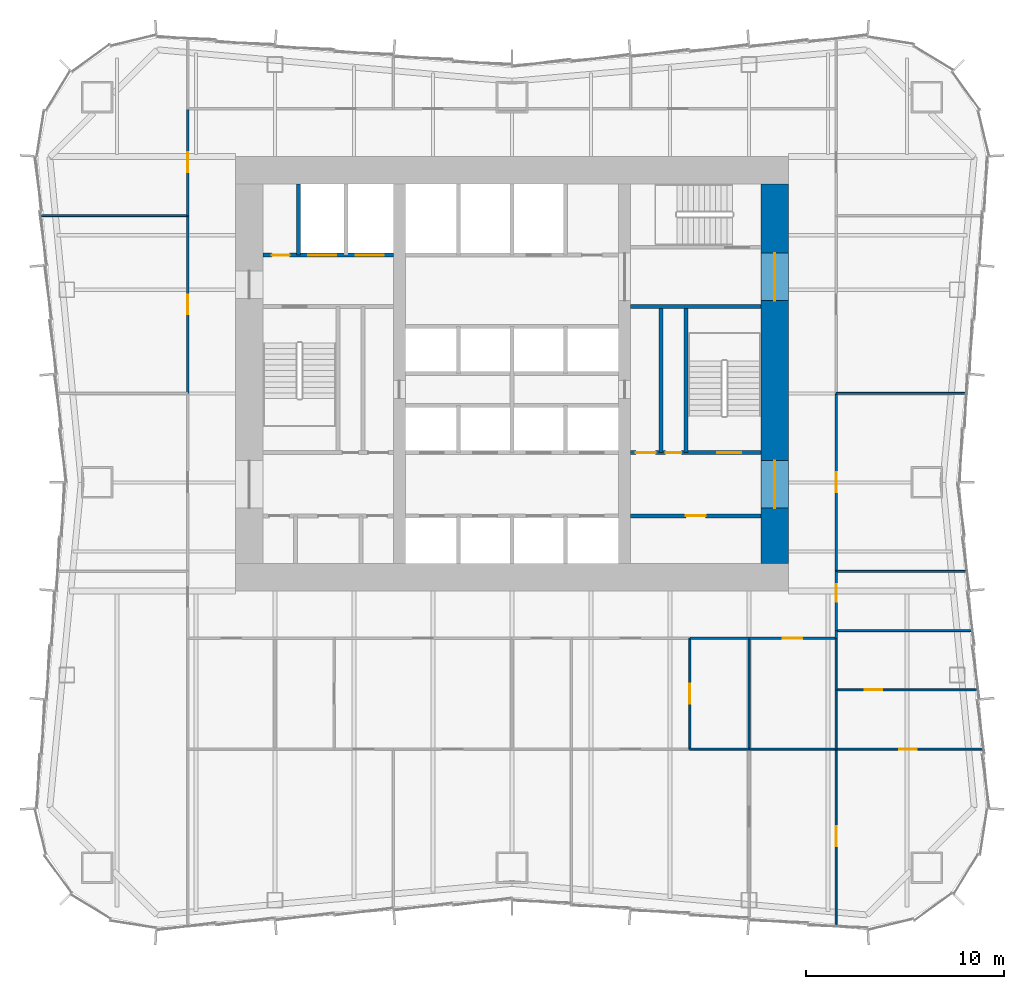
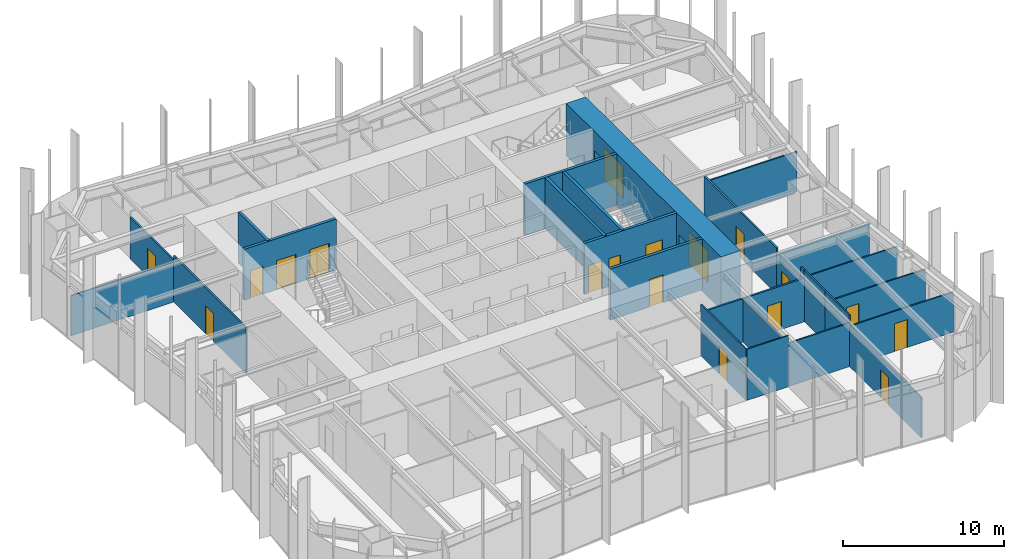
# One storey, part 11 of 13: 28 walls, 18 doors, 18 openings.
"""IFC4 building model written with IfcOpenShell, lengths in metres."""

import ifcopenshell
import ifcopenshell.guid

model = None  # the IFC model being written
_history = None  # IfcOwnerHistory: only IFC2X3 demands one
_inside = {}  # id of a spatial element -> (the spatial element, [elements in it])
_under = {}  # id of a project, library or spatial element -> (it, [spatial elements below it])
_declared = {}  # id of a project -> (the project, [libraries it declares])
_typed = {}  # id of a type object -> (the type object, [elements of that type])
_made_of = {}  # id of a material, layer set ... -> (it, [elements and type objects made of it])


def new_model(schema):
    """Start an empty IFC model of exactly this schema.

    Asked for "IFC4X3", IfcOpenShell would pick the latest addendum, in which some entities
    have other attributes; the version numbers below select the first issue.
    IFC2X3 requires an IfcOwnerHistory on every rooted entity: one is made here for all.
    """
    global model, _history
    if schema == "IFC4X3":
        model = ifcopenshell.file(schema_version=(4, 3, 0, 0))
    else:
        model = ifcopenshell.file(schema=schema)
    _inside.clear()
    _under.clear()
    _declared.clear()
    _typed.clear()
    _made_of.clear()
    _history = None
    if model.schema == "IFC2X3":
        org = make("IfcOrganization", Name="unknown")
        user = make(
            "IfcPersonAndOrganization",
            ThePerson=make("IfcPerson", FamilyName="unknown"),
            TheOrganization=org,
        )
        app = make(
            "IfcApplication",
            ApplicationDeveloper=org,
            Version="unknown",
            ApplicationFullName="unknown",
            ApplicationIdentifier="unknown",
        )
        _history = make(
            "IfcOwnerHistory",
            OwningUser=user,
            OwningApplication=app,
            ChangeAction="ADDED",
            CreationDate=0,
        )
    return model


def make(cls, **values):
    """One entity of the class cls with the attributes given. An attribute that is None is left unset."""
    return model.create_entity(
        cls, **{name: value for name, value in values.items() if value is not None}
    )


def rooted(cls, **values):
    """An entity with a GlobalId (a new one), such as an element, a storey or a relation."""
    return make(cls, GlobalId=ifcopenshell.guid.new(), OwnerHistory=_history, **values)


def si_unit(unit_type, name, prefix=None):
    """IfcSIUnit, for example si_unit("LENGTHUNIT", "METRE", prefix="MILLI")."""
    return make("IfcSIUnit", UnitType=unit_type, Prefix=prefix, Name=name)


def assignment(units):
    """IfcUnitAssignment: the units of a project."""
    return None if units is None else make("IfcUnitAssignment", Units=units)


def point(xyz):
    """IfcCartesianPoint."""
    return None if xyz is None else make("IfcCartesianPoint", Coordinates=xyz)


def direction(xyz):
    """IfcDirection."""
    return None if xyz is None else make("IfcDirection", DirectionRatios=xyz)


def frame(location, z_axis=None, x_axis=None):
    """IfcAxis2Placement3D, a coordinate frame: its origin and axes. An axis left out is left unset."""
    return make(
        "IfcAxis2Placement3D",
        Location=point(location),
        Axis=direction(z_axis),
        RefDirection=direction(x_axis),
    )


def frame_2d(location, x_axis=None):
    """IfcAxis2Placement2D, a coordinate frame in the plane: its origin and x axis."""
    return make(
        "IfcAxis2Placement2D", Location=point(location), RefDirection=direction(x_axis)
    )


def origin():
    """The frame at (0, 0, 0) with its axes left unset."""
    return frame((0.0, 0.0, 0.0))


def place(relative_to, where):
    """IfcLocalPlacement: puts the frame where relative to a parent placement (None: the world)."""
    return make(
        "IfcLocalPlacement", PlacementRelTo=relative_to, RelativePlacement=where
    )


def context(
    kind, dimensions, precision=None, world=None, true_north=None, identifier=None
):
    """IfcGeometricRepresentationContext, for example the 3D "Model" context."""
    return make(
        "IfcGeometricRepresentationContext",
        ContextIdentifier=identifier,
        ContextType=kind,
        CoordinateSpaceDimension=dimensions,
        Precision=precision,
        WorldCoordinateSystem=world,
        TrueNorth=true_north,
    )


def subcontext(parent, identifier, kind, view, scale=None):
    """IfcGeometricRepresentationSubContext, for example "Body" below "Model"."""
    return make(
        "IfcGeometricRepresentationSubContext",
        ContextIdentifier=identifier,
        ContextType=kind,
        ParentContext=parent,
        TargetScale=scale,
        TargetView=view,
    )


def project(units=None, contexts=None):
    """IfcProject with its units and contexts."""
    return rooted(
        "IfcProject",
        Name="project",
        RepresentationContexts=contexts,
        UnitsInContext=assignment(units),
    )


def spatial(cls, under=None, at=None, **own):
    """A site, building, storey or space (cls), placed at a placement, below another one or the project."""
    s = rooted(cls, ObjectPlacement=at, **own)
    if under is not None:
        _under.setdefault(under.id(), (under, []))[1].append(s)
    return s


def profile(cls, at=None, kind="AREA", **sizes):
    """A parametric profile (cls). Its sizes go by their IFC names, for example OverallWidth=200.0."""
    return make(cls, ProfileType=kind, Position=at, **sizes)


def rectangle(**sizes):
    """IfcRectangleProfileDef."""
    return profile("IfcRectangleProfileDef", **sizes)


def extrude(swept, where, along, depth):
    """IfcExtrudedAreaSolid: the profile swept, set in the frame where, extruded along a direction by depth."""
    return make(
        "IfcExtrudedAreaSolid",
        SweptArea=swept,
        Position=where,
        ExtrudedDirection=direction(along),
        Depth=depth,
    )


def shape(context_of_items, identifier, shape_type, items):
    """IfcShapeRepresentation: the items that make up one representation, for example the "Body"."""
    return make(
        "IfcShapeRepresentation",
        ContextOfItems=context_of_items,
        RepresentationIdentifier=identifier,
        RepresentationType=shape_type,
        Items=items,
    )


def material(Name=None, Category=None):
    """IfcMaterial."""
    return make("IfcMaterial", Name=Name, Category=Category)


def layer(
    of_material, thickness, ventilated=None, Name=None, Category=None, Priority=None
):
    """IfcMaterialLayer: one layer of a wall or slab, of a material (None: an air gap)."""
    return make(
        "IfcMaterialLayer",
        Material=of_material,
        LayerThickness=thickness,
        IsVentilated=ventilated,
        Name=Name,
        Category=Category,
        Priority=Priority,
    )


def layer_set(layers, Name=None):
    """IfcMaterialLayerSet."""
    return make("IfcMaterialLayerSet", MaterialLayers=layers, LayerSetName=Name)


def made_of(thing, what):
    """Note that an element or type object is made of a material, layer set ...; save() writes the relation."""
    if what is not None:
        _made_of.setdefault(what.id(), (what, []))[1].append(thing)
    return thing


def type_object(cls, material=None, **own):
    """A type object (cls), such as IfcWallType, which elements share."""
    return made_of(rooted(cls, **own), material)


def element(
    cls,
    number,
    at=None,
    inside=None,
    cuts=None,
    type_object=None,
    material=None,
    context=None,
    identifier="Body",
    shape_type=None,
    held_by="IfcProductDefinitionShape",
    body=None,
    shapes=None,
    **own,
):
    """One element of the class cls, such as IfcWall. Its Tag is "e" and its number.

    at: its placement. inside: the storey or other place that contains it. cuts: it is an
    opening in that element (IfcRelVoidsElement). A single representation is given by context,
    identifier, shape_type and body (its items); several are given by shapes. held_by: the class
    of the entity that holds the representations. save() writes the other relations.
    """
    e = rooted(cls, Tag="e%d" % number, ObjectPlacement=at, **own)
    if body is not None:
        shapes = [shape(context, identifier, shape_type, body)]
    if shapes is not None:
        e.Representation = make(held_by, Representations=shapes)
    if inside is not None:
        _inside.setdefault(inside.id(), (inside, []))[1].append(e)
    if cuts is not None:
        rooted(
            "IfcRelVoidsElement", RelatingBuildingElement=cuts, RelatedOpeningElement=e
        )
    if type_object is not None:
        _typed.setdefault(type_object.id(), (type_object, []))[1].append(e)
    return made_of(e, material)


def fill(opening, filler):
    """IfcRelFillsElement: the door or window that sits in an opening."""
    return rooted(
        "IfcRelFillsElement",
        RelatingOpeningElement=opening,
        RelatedBuildingElement=filler,
    )


def aggregate(whole, parts):
    """IfcRelAggregates: a whole, such as a stair, and the parts it consists of."""
    return rooted("IfcRelAggregates", RelatingObject=whole, RelatedObjects=parts)


def save(model, path):
    """Write the relations noted so far, then the file.

    IfcRelAggregates (storeys below a building ...), IfcRelContainedInSpatialStructure (elements
    in a storey), IfcRelDefinesByType, IfcRelAssociatesMaterial and IfcRelDeclares: one each for
    every whole, place, type object, material and project.
    """
    for whole, parts in _under.values():
        aggregate(whole, parts)
    for where, things in _inside.values():
        rooted(
            "IfcRelContainedInSpatialStructure",
            RelatedElements=things,
            RelatingStructure=where,
        )
    for kind, things in _typed.values():
        rooted("IfcRelDefinesByType", RelatedObjects=things, RelatingType=kind)
    for what, things in _made_of.values():
        rooted("IfcRelAssociatesMaterial", RelatedObjects=things, RelatingMaterial=what)
    for by, libraries in _declared.values():
        rooted("IfcRelDeclares", RelatingContext=by, RelatedDefinitions=libraries)
    model.write(path)


model = new_model("IFC4")

# Units and contexts
model_context = context("Model", 3, precision=1e-05, world=origin(), true_north=direction((0.0, 1.0)))
body_context = subcontext(model_context, "Body", "Model", "MODEL_VIEW")
ifc_project = project(units=[si_unit("LENGTHUNIT", "METRE"), si_unit("AREAUNIT", "SQUARE_METRE"), si_unit("VOLUMEUNIT", "CUBIC_METRE"), si_unit("PLANEANGLEUNIT", "RADIAN"), si_unit("MASSUNIT", "GRAM", prefix="KILO")], contexts=[model_context])

# Site, building, storey
site_placement = place(None, origin())
site = spatial("IfcSite", under=ifc_project, at=site_placement, CompositionType="ELEMENT")
building_placement = place(site_placement, origin())
building = spatial("IfcBuilding", under=site, at=building_placement, Name="Verdant Reach Tower", CompositionType="ELEMENT")
storey_placement = place(building_placement, frame((0.0, 0.0, 50.0)))
storey = spatial("IfcBuildingStorey", under=building, at=storey_placement, Name="L11", CompositionType="ELEMENT", Elevation=50.0)

# Wall, opening, door
ifc_material_1 = material(Name="Gypsum board on steel studs", Category="steel")
ifc_layer_1 = layer(ifc_material_1, 0.199951171875)
ifc_layer_set_1 = layer_set([ifc_layer_1], Name="CO-WALL-ROOM")
wall_type_1 = type_object("IfcWallType", Name="CO-WALL-ROOM", PredefinedType="PARTITIONING", material=ifc_layer_set_1)
wall_1_placement = place(storey_placement, frame((6.0, 20.800048828125, 0.0), z_axis=(0.0, 0.0, 1.0), x_axis=(1.0, 0.0, 0.0)))
wall_1 = element("IfcWall", 1, at=wall_1_placement, inside=storey, type_object=wall_type_1, Name="Core partition, L11", PredefinedType="PARTITIONING", context=body_context, shape_type="SweptSolid", body=[
    extrude(rectangle(XDim=6.60009765625, YDim=0.199951171875, at=frame_2d((3.300048828125, 0.0))), origin(), (0.0, 0.0, 1.0), 3.8701171875),
])
opening_1_placement = place(wall_1_placement, frame((2.800048828125, 0.0, 0.0)))
opening_1 = element("IfcOpeningElement", 2, at=opening_1_placement, cuts=wall_1, Name="Opening CD", PredefinedType="OPENING", context=body_context, shape_type="SweptSolid", body=[
    extrude(rectangle(XDim=1.0, YDim=2.10009765625, at=frame_2d((0.5, 1.050048828125))), frame((0.0, 0.10986328125, 0.0), z_axis=(0.0, -1.0, 0.0), x_axis=(1.0, 0.0, 0.0)), (0.0, 0.0, 1.0), 0.219970703125),
])
ifc_material_2 = material(Name="Timber", Category="wood")
door_type_1 = type_object("IfcDoorType", Name="CO-DOOR-ROOM", OperationType="NOTDEFINED", PredefinedType="DOOR", material=ifc_material_2)
door_1_placement = place(opening_1_placement, origin())
door_1 = element("IfcDoor", 3, at=door_1_placement, inside=storey, type_object=door_type_1, Name="Core room door, L11", OperationType="SINGLE_SWING_RIGHT", OverallHeight=2.10009765625, OverallWidth=1.0, PredefinedType="DOOR", context=body_context, shape_type="SweptSolid", body=[
    extrude(rectangle(XDim=1.0, YDim=2.10009765625, at=frame_2d((0.5, 1.050048828125))), frame((0.0, 0.02490234375, 0.0), z_axis=(0.0, -1.0, 0.0), x_axis=(1.0, 0.0, 0.0)), (0.0, 0.0, 1.0), 0.050048828125),
])
fill(opening_1, door_1)

# Wall
wall_2_placement = place(storey_placement, frame((7.5400390625, 24.0, 0.0), z_axis=(0.0, 0.0, 1.0), x_axis=(0.0, 1.0, 0.0)))
element("IfcWall", 4, at=wall_2_placement, inside=storey, type_object=wall_type_1, Name="Core partition, L11", PredefinedType="PARTITIONING", context=body_context, shape_type="SweptSolid", body=[
    extrude(rectangle(XDim=7.39990234375, YDim=0.199951171875, at=frame_2d((3.699951171875, 0.0))), origin(), (0.0, 0.0, 1.0), 3.8701171875),
])

# Wall, openings, doors
ifc_material_3 = material(Name="Concrete C40/50", Category="concrete")
ifc_layer_2 = layer(ifc_material_3, 0.199951171875)
ifc_layer_set_2 = layer_set([ifc_layer_2], Name="CO-WALL-SHAFT")
wall_type_2 = type_object("IfcWallType", Name="CO-WALL-SHAFT", PredefinedType="PARTITIONING", material=ifc_layer_set_2)
wall_3_placement = place(storey_placement, frame((-12.60009765625, 34.0, 0.0), z_axis=(0.0, 0.0, 1.0), x_axis=(1.0, 0.0, 0.0)))
wall_3 = element("IfcWall", 5, at=wall_3_placement, inside=storey, type_object=wall_type_2, Name="Lift shaft wall, L11", PredefinedType="PARTITIONING", context=body_context, shape_type="SweptSolid", body=[
    extrude(rectangle(XDim=6.60009765625, YDim=0.199951171875, at=frame_2d((3.300048828125, 0.0))), origin(), (0.0, 0.0, 1.0), 3.8701171875),
])
opening_2_placement = place(wall_3_placement, frame((4.699951171875, 0.0, 0.0)))
opening_2 = element("IfcOpeningElement", 6, at=opening_2_placement, cuts=wall_3, Name="Opening LD-F1", PredefinedType="OPENING", context=body_context, shape_type="SweptSolid", body=[
    extrude(rectangle(XDim=1.39990234375, YDim=2.199951171875, at=frame_2d((0.699951171875, 1.10009765625))), frame((0.0, 0.10986328125, 0.0), z_axis=(0.0, -1.0, 0.0), x_axis=(1.0, 0.0, 0.0)), (0.0, 0.0, 1.0), 0.219970703125),
])
opening_3_placement = place(wall_3_placement, frame((2.300048828125, 0.0, 0.0)))
opening_3 = element("IfcOpeningElement", 7, at=opening_3_placement, cuts=wall_3, Name="Opening LD-F2", PredefinedType="OPENING", context=body_context, shape_type="SweptSolid", body=[
    extrude(rectangle(XDim=1.39990234375, YDim=2.199951171875, at=frame_2d((0.699951171875, 1.10009765625))), frame((0.0, 0.10986328125, 0.0), z_axis=(0.0, -1.0, 0.0), x_axis=(1.0, 0.0, 0.0)), (0.0, 0.0, 1.0), 0.219970703125),
])
opening_4_placement = place(wall_3_placement, frame((0.449951171875, 0.0, 0.0)))
opening_4 = element("IfcOpeningElement", 8, at=opening_4_placement, cuts=wall_3, Name="Opening RD", PredefinedType="OPENING", context=body_context, shape_type="SweptSolid", body=[
    extrude(rectangle(XDim=0.89990234375, YDim=2.10009765625, at=frame_2d((0.449951171875, 1.050048828125))), frame((0.0, 0.10986328125, 0.0), z_axis=(0.0, -1.0, 0.0), x_axis=(1.0, 0.0, 0.0)), (0.0, 0.0, 1.0), 0.219970703125),
])
ifc_material_4 = material(Name="Stainless steel", Category="steel")
door_type_2 = type_object("IfcDoorType", Name="CO-DOOR-LANDING-FF", OperationType="SLIDING_TO_LEFT", PredefinedType="DOOR", material=ifc_material_4)
door_2_placement = place(opening_2_placement, origin())
door_2 = element("IfcDoor", 9, at=door_2_placement, inside=storey, type_object=door_type_2, Name="Landing door F1, L11", OperationType="SLIDING_TO_LEFT", OverallHeight=2.199951171875, OverallWidth=1.39990234375, PredefinedType="DOOR", context=body_context, shape_type="SweptSolid", body=[
    extrude(rectangle(XDim=1.39990234375, YDim=2.199951171875, at=frame_2d((0.699951171875, 1.10009765625))), frame((0.0, 0.02490234375, 0.0), z_axis=(0.0, -1.0, 0.0), x_axis=(1.0, 0.0, 0.0)), (0.0, 0.0, 1.0), 0.050048828125),
])
fill(opening_2, door_2)
door_3_placement = place(opening_3_placement, origin())
door_3 = element("IfcDoor", 10, at=door_3_placement, inside=storey, type_object=door_type_2, Name="Landing door F2, L11", OperationType="SLIDING_TO_LEFT", OverallHeight=2.199951171875, OverallWidth=1.39990234375, PredefinedType="DOOR", context=body_context, shape_type="SweptSolid", body=[
    extrude(rectangle(XDim=1.39990234375, YDim=2.199951171875, at=frame_2d((0.699951171875, 1.10009765625))), frame((0.0, 0.02490234375, 0.0), z_axis=(0.0, -1.0, 0.0), x_axis=(1.0, 0.0, 0.0)), (0.0, 0.0, 1.0), 0.050048828125),
])
fill(opening_3, door_3)
ifc_material_5 = material(Name="Steel", Category="steel")
door_type_3 = type_object("IfcDoorType", Name="CO-DOOR-RISER", OperationType="NOTDEFINED", PredefinedType="DOOR", material=ifc_material_5)
door_4_placement = place(opening_4_placement, origin())
door_4 = element("IfcDoor", 11, at=door_4_placement, inside=storey, type_object=door_type_3, Name="Core room door, L11", OperationType="SINGLE_SWING_RIGHT", OverallHeight=2.10009765625, OverallWidth=0.89990234375, PredefinedType="DOOR", context=body_context, shape_type="SweptSolid", body=[
    extrude(rectangle(XDim=0.89990234375, YDim=2.10009765625, at=frame_2d((0.449951171875, 1.050048828125))), frame((0.0, 0.02490234375, 0.0), z_axis=(0.0, -1.0, 0.0), x_axis=(1.0, 0.0, 0.0)), (0.0, 0.0, 1.0), 0.050048828125),
])
fill(opening_4, door_4)

# Wall
wall_4_placement = place(storey_placement, frame((-10.800048828125, 34.0, 0.0), z_axis=(0.0, 0.0, 1.0), x_axis=(0.0, 1.0, 0.0)))
element("IfcWall", 12, at=wall_4_placement, inside=storey, type_object=wall_type_2, Name="Lift shaft wall, L11", PredefinedType="PARTITIONING", context=body_context, shape_type="SweptSolid", body=[
    extrude(rectangle(XDim=3.60009765625, YDim=0.199951171875, at=frame_2d((1.800048828125, 0.0))), origin(), (0.0, 0.0, 1.0), 3.8701171875),
])

# Wall, openings, doors
ifc_layer_3 = layer(ifc_material_3, 0.199951171875)
ifc_layer_set_3 = layer_set([ifc_layer_3], Name="CO-WALL-STAIR")
wall_type_3 = type_object("IfcWallType", Name="CO-WALL-STAIR", PredefinedType="PARTITIONING", material=ifc_layer_set_3)
wall_5_placement = place(storey_placement, frame((6.0, 24.0, 0.0), z_axis=(0.0, 0.0, 1.0), x_axis=(1.0, 0.0, 0.0)))
wall_5 = element("IfcWall", 13, at=wall_5_placement, inside=storey, type_object=wall_type_3, Name="Stair enclosure wall, L11", PredefinedType="PARTITIONING", context=body_context, shape_type="SweptSolid", body=[
    extrude(rectangle(XDim=6.60009765625, YDim=0.199951171875, at=frame_2d((3.300048828125, 0.0))), origin(), (0.0, 0.0, 1.0), 3.8701171875),
])
opening_5_placement = place(wall_5_placement, frame((0.27001953125, 0.0, 0.0)))
opening_5 = element("IfcOpeningElement", 14, at=opening_5_placement, cuts=wall_5, Name="Opening CD", PredefinedType="OPENING", context=body_context, shape_type="SweptSolid", body=[
    extrude(rectangle(XDim=1.0, YDim=2.10009765625, at=frame_2d((0.5, 1.050048828125))), frame((0.0, 0.10986328125, 0.0), z_axis=(0.0, -1.0, 0.0), x_axis=(1.0, 0.0, 0.0)), (0.0, 0.0, 1.0), 0.219970703125),
])
opening_6_placement = place(wall_5_placement, frame((1.77001953125, 0.0, 0.0)))
opening_6 = element("IfcOpeningElement", 15, at=opening_6_placement, cuts=wall_5, Name="Opening CDN", PredefinedType="OPENING", context=body_context, shape_type="SweptSolid", body=[
    extrude(rectangle(XDim=0.800048828125, YDim=2.10009765625, at=frame_2d((0.39990234375, 1.050048828125))), frame((0.0, 0.10986328125, 0.0), z_axis=(0.0, -1.0, 0.0), x_axis=(1.0, 0.0, 0.0)), (0.0, 0.0, 1.0), 0.219970703125),
])
opening_7_placement = place(wall_5_placement, frame((4.39990234375, 0.0, 0.0)))
opening_7 = element("IfcOpeningElement", 16, at=opening_7_placement, cuts=wall_5, Name="Opening SD", PredefinedType="OPENING", context=body_context, shape_type="SweptSolid", body=[
    extrude(rectangle(XDim=1.199951171875, YDim=2.199951171875, at=frame_2d((0.60009765625, 1.10009765625))), frame((0.0, 0.10986328125, 0.0), z_axis=(0.0, -1.0, 0.0), x_axis=(1.0, 0.0, 0.0)), (0.0, 0.0, 1.0), 0.219970703125),
])
door_5_placement = place(opening_5_placement, origin())
door_5 = element("IfcDoor", 17, at=door_5_placement, inside=storey, type_object=door_type_1, Name="Core room door, L11", OperationType="SINGLE_SWING_RIGHT", OverallHeight=2.10009765625, OverallWidth=1.0, PredefinedType="DOOR", context=body_context, shape_type="SweptSolid", body=[
    extrude(rectangle(XDim=1.0, YDim=2.10009765625, at=frame_2d((0.5, 1.050048828125))), frame((0.0, 0.02490234375, 0.0), z_axis=(0.0, -1.0, 0.0), x_axis=(1.0, 0.0, 0.0)), (0.0, 0.0, 1.0), 0.050048828125),
])
fill(opening_5, door_5)
door_type_4 = type_object("IfcDoorType", Name="CO-DOOR-ROOM-NARROW", OperationType="NOTDEFINED", PredefinedType="DOOR", material=ifc_material_2)
door_6_placement = place(opening_6_placement, origin())
door_6 = element("IfcDoor", 18, at=door_6_placement, inside=storey, type_object=door_type_4, Name="Core room door, L11", OperationType="SINGLE_SWING_LEFT", OverallHeight=2.10009765625, OverallWidth=0.800048828125, PredefinedType="DOOR", context=body_context, shape_type="SweptSolid", body=[
    extrude(rectangle(XDim=0.800048828125, YDim=2.10009765625, at=frame_2d((0.39990234375, 1.050048828125))), frame((0.0, 0.02490234375, 0.0), z_axis=(0.0, -1.0, 0.0), x_axis=(1.0, 0.0, 0.0)), (0.0, 0.0, 1.0), 0.050048828125),
])
fill(opening_6, door_6)
door_type_5 = type_object("IfcDoorType", Name="CO-DOOR-STAIR", OperationType="NOTDEFINED", PredefinedType="DOOR", material=ifc_material_5)
door_7_placement = place(opening_7_placement, origin())
door_7 = element("IfcDoor", 19, at=door_7_placement, inside=storey, type_object=door_type_5, Name="Stair door, L11", OperationType="SINGLE_SWING_RIGHT", OverallHeight=2.199951171875, OverallWidth=1.199951171875, PredefinedType="DOOR", context=body_context, shape_type="SweptSolid", body=[
    extrude(rectangle(XDim=1.199951171875, YDim=2.199951171875, at=frame_2d((0.60009765625, 1.10009765625))), frame((0.0, 0.02490234375, 0.0), z_axis=(0.0, -1.0, 0.0), x_axis=(1.0, 0.0, 0.0)), (0.0, 0.0, 1.0), 0.050048828125),
])
fill(opening_7, door_7)

# Walls
wall_6_placement = place(storey_placement, frame((6.0, 31.39990234375, 0.0), z_axis=(0.0, 0.0, 1.0), x_axis=(1.0, 0.0, 0.0)))
element("IfcWall", 20, at=wall_6_placement, inside=storey, type_object=wall_type_3, Name="Stair enclosure wall, L11", PredefinedType="PARTITIONING", context=body_context, shape_type="SweptSolid", body=[
    extrude(rectangle(XDim=6.60009765625, YDim=0.199951171875, at=frame_2d((3.300048828125, 0.0))), origin(), (0.0, 0.0, 1.0), 3.8701171875),
])
wall_7_placement = place(storey_placement, frame((8.800048828125, 24.0, 0.0), z_axis=(0.0, 0.0, 1.0), x_axis=(0.0, 1.0, 0.0)))
element("IfcWall", 21, at=wall_7_placement, inside=storey, type_object=wall_type_3, Name="Stair enclosure wall, L11", PredefinedType="PARTITIONING", context=body_context, shape_type="SweptSolid", body=[
    extrude(rectangle(XDim=7.39990234375, YDim=0.199951171875, at=frame_2d((3.699951171875, 0.0))), origin(), (0.0, 0.0, 1.0), 3.8701171875),
])

# Wall, opening, door
ifc_layer_4 = layer(ifc_material_1, 0.10009765625)
ifc_layer_set_4 = layer_set([ifc_layer_4], Name="FL-W1 Partition 100")
wall_type_4 = type_object("IfcWallType", Name="FL-W1 Partition 100", PredefinedType="PARTITIONING", material=ifc_layer_set_4)
wall_8_placement = place(storey_placement, frame((9.0, 14.60009765625, 0.0), z_axis=(0.0, 0.0, 1.0), x_axis=(0.0, -1.0, 0.0)))
wall_8 = element("IfcWall", 22, at=wall_8_placement, inside=storey, type_object=wall_type_4, Name="Partition 11.33", PredefinedType="PARTITIONING", context=body_context, shape_type="SweptSolid", body=[
    extrude(rectangle(XDim=5.60009765625, YDim=0.10009765625, at=frame_2d((2.800048828125, 0.0))), origin(), (0.0, 0.0, 1.0), 3.8701171875),
])
opening_8_placement = place(wall_8_placement, frame((2.300048828125, 0.0, 0.0)))
opening_8 = element("IfcOpeningElement", 23, at=opening_8_placement, cuts=wall_8, Name="Opening D3", PredefinedType="OPENING", context=body_context, shape_type="SweptSolid", body=[
    extrude(rectangle(XDim=1.0, YDim=2.10009765625, at=frame_2d((0.5, 1.050048828125))), frame((0.0, 0.06005859375, 0.0), z_axis=(0.0, -1.0, 0.0), x_axis=(1.0, 0.0, 0.0)), (0.0, 0.0, 1.0), 0.1201171875),
])
ifc_material_6 = material(Name="Painted timber door leaf", Category="wood")
door_type_6 = type_object("IfcDoorType", Name="FL-D3 Door 1000x2100", OperationType="NOTDEFINED", PredefinedType="DOOR", material=ifc_material_6)
door_8_placement = place(opening_8_placement, origin())
door_8 = element("IfcDoor", 24, at=door_8_placement, inside=storey, type_object=door_type_6, Name="Door 11-020", OperationType="SINGLE_SWING_RIGHT", OverallHeight=2.10009765625, OverallWidth=1.0, PredefinedType="DOOR", context=body_context, shape_type="SweptSolid", body=[
    extrude(rectangle(XDim=1.0, YDim=2.10009765625, at=frame_2d((0.5, 1.050048828125))), frame((0.0, 0.02490234375, 0.0), z_axis=(0.0, -1.0, 0.0), x_axis=(1.0, 0.0, 0.0)), (0.0, 0.0, 1.0), 0.050048828125),
])
fill(opening_8, door_8)

# Walls
wall_9_placement = place(storey_placement, frame((12.0, 9.0, 0.0), z_axis=(0.0, 0.0, 1.0), x_axis=(0.0, 1.0, 0.0)))
element("IfcWall", 25, at=wall_9_placement, inside=storey, type_object=wall_type_4, Name="Partition 11.35", PredefinedType="PARTITIONING", context=body_context, shape_type="SweptSolid", body=[
    extrude(rectangle(XDim=5.60009765625, YDim=0.10009765625, at=frame_2d((2.800048828125, 0.0))), origin(), (0.0, 0.0, 1.0), 3.2900390625),
])
wall_10_placement = place(storey_placement, frame((8.99609375, 9.0, 0.0), z_axis=(0.0, 0.0, 1.0), x_axis=(1.0, 0.0, 0.0)))
element("IfcWall", 26, at=wall_10_placement, inside=storey, type_object=wall_type_4, Name="Partition 11.36", PredefinedType="PARTITIONING", context=body_context, shape_type="SweptSolid", body=[
    extrude(rectangle(XDim=3.00390625, YDim=0.10009765625, at=frame_2d((1.501953125, 0.0))), origin(), (0.0, 0.0, 1.0), 3.8701171875),
])
wall_11_placement = place(storey_placement, frame((12.0, 9.0, 0.0), z_axis=(0.0, 0.0, 1.0), x_axis=(1.0, 0.0, 0.0)))
element("IfcWall", 27, at=wall_11_placement, inside=storey, type_object=wall_type_4, Name="Partition 11.37", PredefinedType="PARTITIONING", context=body_context, shape_type="SweptSolid", body=[
    extrude(rectangle(XDim=4.39990234375, YDim=0.10009765625, at=frame_2d((2.199951171875, 0.0))), origin(), (0.0, 0.0, 1.0), 3.2900390625),
])
wall_12_placement = place(storey_placement, frame((16.39990234375, 9.0, 0.0), z_axis=(0.0, 0.0, 1.0), x_axis=(0.0, 1.0, 0.0)))
element("IfcWall", 28, at=wall_12_placement, inside=storey, type_object=wall_type_4, Name="Partition 11.38", PredefinedType="PARTITIONING", context=body_context, shape_type="SweptSolid", body=[
    extrude(rectangle(XDim=3.0, YDim=0.10009765625, at=frame_2d((1.5, 0.0))), origin(), (0.0, 0.0, 1.0), 3.8701171875),
])
wall_13_placement = place(storey_placement, frame((16.39990234375, 12.0, 0.0), z_axis=(0.0, 0.0, 1.0), x_axis=(0.0, 1.0, 0.0)))
element("IfcWall", 29, at=wall_13_placement, inside=storey, type_object=wall_type_4, Name="Partition 11.39", PredefinedType="PARTITIONING", context=body_context, shape_type="SweptSolid", body=[
    extrude(rectangle(XDim=2.60400390625, YDim=0.10009765625, at=frame_2d((1.302001953125, 0.0))), origin(), (0.0, 0.0, 1.0), 3.8701171875),
])

# Wall, opening, door
wall_14_placement = place(storey_placement, frame((16.39990234375, 9.0, 0.0), z_axis=(0.0, 0.0, 1.0), x_axis=(0.0, -1.0, 0.0)))
wall_14 = element("IfcWall", 30, at=wall_14_placement, inside=storey, type_object=wall_type_4, Name="Partition 11.41", PredefinedType="PARTITIONING", context=body_context, shape_type="SweptSolid", body=[
    extrude(rectangle(XDim=8.94677734375, YDim=0.10009765625, at=frame_2d((4.473388671875, 0.0))), origin(), (0.0, 0.0, 1.0), 3.0400390625),
])
opening_9_placement = place(wall_14_placement, frame((3.908203125, 0.0, 0.0)))
opening_9 = element("IfcOpeningElement", 31, at=opening_9_placement, cuts=wall_14, Name="Opening D3", PredefinedType="OPENING", context=body_context, shape_type="SweptSolid", body=[
    extrude(rectangle(XDim=1.0, YDim=2.10009765625, at=frame_2d((0.5, 1.050048828125))), frame((0.0, 0.06005859375, 0.0), z_axis=(0.0, -1.0, 0.0), x_axis=(1.0, 0.0, 0.0)), (0.0, 0.0, 1.0), 0.1201171875),
])
door_9_placement = place(opening_9_placement, origin())
door_9 = element("IfcDoor", 32, at=door_9_placement, inside=storey, type_object=door_type_6, Name="Door 11-023", OperationType="SINGLE_SWING_LEFT", OverallHeight=2.10009765625, OverallWidth=1.0, PredefinedType="DOOR", context=body_context, shape_type="SweptSolid", body=[
    extrude(rectangle(XDim=1.0, YDim=2.10009765625, at=frame_2d((0.5, 1.050048828125))), frame((0.0, 0.02490234375, 0.0), z_axis=(0.0, -1.0, 0.0), x_axis=(1.0, 0.0, 0.0)), (0.0, 0.0, 1.0), 0.050048828125),
])
fill(opening_9, door_9)

# Wall
wall_15_placement = place(storey_placement, frame((-16.39990234375, 36.0, 0.0), z_axis=(0.0, 0.0, 1.0), x_axis=(-1.0, 0.0, 0.0)))
element("IfcWall", 33, at=wall_15_placement, inside=storey, type_object=wall_type_4, Name="Partition 11.48", PredefinedType="PARTITIONING", context=body_context, shape_type="SweptSolid", body=[
    extrude(rectangle(XDim=7.407470703125, YDim=0.10009765625, at=frame_2d((3.70361328125, 0.0))), origin(), (0.0, 0.0, 1.0), 3.0400390625),
])

# Wall, opening, door
wall_16_placement = place(storey_placement, frame((16.39990234375, 9.0, 0.0), z_axis=(0.0, 0.0, 1.0), x_axis=(1.0, 0.0, 0.0)))
wall_16 = element("IfcWall", 34, at=wall_16_placement, inside=storey, type_object=wall_type_4, Name="Partition 11.49", PredefinedType="PARTITIONING", context=body_context, shape_type="SweptSolid", body=[
    extrude(rectangle(XDim=7.407470703125, YDim=0.10009765625, at=frame_2d((3.70361328125, 0.0))), origin(), (0.0, 0.0, 1.0), 3.0400390625),
])
opening_10_placement = place(wall_16_placement, frame((3.1884765625, 0.0, 0.0)))
opening_10 = element("IfcOpeningElement", 35, at=opening_10_placement, cuts=wall_16, Name="Opening D1", PredefinedType="OPENING", context=body_context, shape_type="SweptSolid", body=[
    extrude(rectangle(XDim=0.89990234375, YDim=2.10009765625, at=frame_2d((0.449951171875, 1.050048828125))), frame((0.0, 0.06005859375, 0.0), z_axis=(0.0, -1.0, 0.0), x_axis=(1.0, 0.0, 0.0)), (0.0, 0.0, 1.0), 0.1201171875),
])
door_type_7 = type_object("IfcDoorType", Name="FL-D1 Door 900x2100", OperationType="NOTDEFINED", PredefinedType="DOOR", material=ifc_material_6)
door_10_placement = place(opening_10_placement, origin())
door_10 = element("IfcDoor", 36, at=door_10_placement, inside=storey, type_object=door_type_7, Name="Door 11-024", OperationType="SINGLE_SWING_LEFT", OverallHeight=2.10009765625, OverallWidth=0.89990234375, PredefinedType="DOOR", context=body_context, shape_type="SweptSolid", body=[
    extrude(rectangle(XDim=0.89990234375, YDim=2.10009765625, at=frame_2d((0.449951171875, 1.050048828125))), frame((0.0, 0.02490234375, 0.0), z_axis=(0.0, -1.0, 0.0), x_axis=(1.0, 0.0, 0.0)), (0.0, 0.0, 1.0), 0.050048828125),
])
fill(opening_10, door_10)

wall_17_placement = place(storey_placement, frame((16.39990234375, 12.0, 0.0), z_axis=(0.0, 0.0, 1.0), x_axis=(1.0, 0.0, 0.0)))
wall_17 = element("IfcWall", 37, at=wall_17_placement, inside=storey, type_object=wall_type_4, Name="Partition 11.50", PredefinedType="PARTITIONING", context=body_context, shape_type="SweptSolid", body=[
    extrude(rectangle(XDim=7.134521484375, YDim=0.10009765625, at=frame_2d((3.5673828125, 0.0))), origin(), (0.0, 0.0, 1.0), 3.0400390625),
])
opening_11_placement = place(wall_17_placement, frame((1.4521484375, 0.0, 0.0)))
opening_11 = element("IfcOpeningElement", 38, at=opening_11_placement, cuts=wall_17, Name="Opening D1", PredefinedType="OPENING", context=body_context, shape_type="SweptSolid", body=[
    extrude(rectangle(XDim=0.89990234375, YDim=2.10009765625, at=frame_2d((0.449951171875, 1.050048828125))), frame((0.0, 0.06005859375, 0.0), z_axis=(0.0, -1.0, 0.0), x_axis=(1.0, 0.0, 0.0)), (0.0, 0.0, 1.0), 0.1201171875),
])
door_11_placement = place(opening_11_placement, origin())
door_11 = element("IfcDoor", 39, at=door_11_placement, inside=storey, type_object=door_type_7, Name="Door 11-025", OperationType="SINGLE_SWING_LEFT", OverallHeight=2.10009765625, OverallWidth=0.89990234375, PredefinedType="DOOR", context=body_context, shape_type="SweptSolid", body=[
    extrude(rectangle(XDim=0.89990234375, YDim=2.10009765625, at=frame_2d((0.449951171875, 1.050048828125))), frame((0.0, 0.02490234375, 0.0), z_axis=(0.0, -1.0, 0.0), x_axis=(1.0, 0.0, 0.0)), (0.0, 0.0, 1.0), 0.050048828125),
])
fill(opening_11, door_11)

# Walls
wall_18_placement = place(storey_placement, frame((23.26171875, 15.0, 0.0), z_axis=(0.0, 0.0, 1.0), x_axis=(-1.0, 0.0, 0.0)))
element("IfcWall", 40, at=wall_18_placement, inside=storey, type_object=wall_type_4, Name="Partition 11.51", PredefinedType="PARTITIONING", context=body_context, shape_type="SweptSolid", body=[
    extrude(rectangle(XDim=6.86181640625, YDim=0.10009765625, at=frame_2d((3.430908203125, 0.0))), origin(), (0.0, 0.0, 1.0), 3.0400390625),
])
for number, where, z_axis, x_axis, name in (
    (41, (22.989013671875, 18.0, 0.0), (0.0, 0.0, 1.0), (-1.0, 0.0, 0.0), "Partition 11.52"),
    (42, (22.989013671875, 27.0, 0.0), (0.0, 0.0, 1.0), (-1.0, 0.0, 0.0), "Partition 11.53"),
):
    element("IfcWall", number, at=place(storey_placement, frame(where, z_axis=z_axis, x_axis=x_axis)), inside=storey, type_object=wall_type_4, Name=name, PredefinedType="PARTITIONING", context=body_context, shape_type="SweptSolid", body=[
        extrude(rectangle(XDim=6.589111328125, YDim=0.10009765625, at=frame_2d((3.29443359375, 0.0))), origin(), (0.0, 0.0, 1.0), 3.0400390625),
    ])
ifc_material_7 = material(Name="Gypsum board on steel studs, fire rated", Category="steel")
ifc_layer_5 = layer(ifc_material_7, 0.125)
ifc_layer_set_5 = layer_set([ifc_layer_5], Name="FL-W2 Corridor wall 125")
wall_type_5 = type_object("IfcWallType", Name="FL-W2 Corridor wall 125", PredefinedType="PARTITIONING", material=ifc_layer_set_5)
wall_19_placement = place(storey_placement, frame((9.0, 14.60009765625, 0.0), z_axis=(0.0, 0.0, 1.0), x_axis=(1.0, 0.0, 0.0)))
element("IfcWall", 43, at=wall_19_placement, inside=storey, type_object=wall_type_5, Name="Partition 11.06", PredefinedType="PARTITIONING", context=body_context, shape_type="SweptSolid", body=[
    extrude(rectangle(XDim=3.0, YDim=0.125, at=frame_2d((1.5, 0.0))), origin(), (0.0, 0.0, 1.0), 3.2900390625),
])

# Wall, opening, door
wall_20_placement = place(storey_placement, frame((16.39990234375, 14.60009765625, 0.0), z_axis=(0.0, 0.0, 1.0), x_axis=(-1.0, 0.0, 0.0)))
wall_20 = element("IfcWall", 44, at=wall_20_placement, inside=storey, type_object=wall_type_5, Name="Partition 11.07", PredefinedType="PARTITIONING", context=body_context, shape_type="SweptSolid", body=[
    extrude(rectangle(XDim=4.39990234375, YDim=0.125, at=frame_2d((2.199951171875, 0.0))), origin(), (0.0, 0.0, 1.0), 3.2900390625),
])
opening_12_placement = place(wall_20_placement, frame((1.699951171875, 0.0, 0.0)))
opening_12 = element("IfcOpeningElement", 45, at=opening_12_placement, cuts=wall_20, Name="Opening D2", PredefinedType="OPENING", context=body_context, shape_type="SweptSolid", body=[
    extrude(rectangle(XDim=1.0, YDim=2.10009765625, at=frame_2d((0.5, 1.050048828125))), frame((0.0, 0.072509765625, 0.0), z_axis=(0.0, -1.0, 0.0), x_axis=(1.0, 0.0, 0.0)), (0.0, 0.0, 1.0), 0.14501953125),
])
ifc_material_8 = material(Name="Timber door leaf, fire rated", Category="wood")
door_type_8 = type_object("IfcDoorType", Name="FL-D2 Entrance door 1000x2100 FD30", OperationType="NOTDEFINED", PredefinedType="DOOR", material=ifc_material_8)
door_12_placement = place(opening_12_placement, origin())
door_12 = element("IfcDoor", 46, at=door_12_placement, inside=storey, type_object=door_type_8, Name="Door 11-005", OperationType="SINGLE_SWING_LEFT", OverallHeight=2.10009765625, OverallWidth=1.0, PredefinedType="DOOR", context=body_context, shape_type="SweptSolid", body=[
    extrude(rectangle(XDim=1.0, YDim=2.10009765625, at=frame_2d((0.5, 1.050048828125))), frame((0.0, 0.02490234375, 0.0), z_axis=(0.0, -1.0, 0.0), x_axis=(1.0, 0.0, 0.0)), (0.0, 0.0, 1.0), 0.050048828125),
])
fill(opening_12, door_12)

wall_21_placement = place(storey_placement, frame((-16.39990234375, 27.0, 0.0), z_axis=(0.0, 0.0, 1.0), x_axis=(0.0, 1.0, 0.0)))
wall_21 = element("IfcWall", 47, at=wall_21_placement, inside=storey, type_object=wall_type_5, Name="Partition 11.13", PredefinedType="PARTITIONING", context=body_context, shape_type="SweptSolid", body=[
    extrude(rectangle(XDim=9.0, YDim=0.125, at=frame_2d((4.5, 0.0))), origin(), (0.0, 0.0, 1.0), 3.47998046875),
])
opening_13_placement = place(wall_21_placement, frame((4.0, 0.0, 0.0)))
opening_13 = element("IfcOpeningElement", 48, at=opening_13_placement, cuts=wall_21, Name="Opening D2", PredefinedType="OPENING", context=body_context, shape_type="SweptSolid", body=[
    extrude(rectangle(XDim=1.0, YDim=2.10009765625, at=frame_2d((0.5, 1.050048828125))), frame((0.0, 0.072509765625, 0.0), z_axis=(0.0, -1.0, 0.0), x_axis=(1.0, 0.0, 0.0)), (0.0, 0.0, 1.0), 0.14501953125),
])
door_13_placement = place(opening_13_placement, origin())
door_13 = element("IfcDoor", 49, at=door_13_placement, inside=storey, type_object=door_type_8, Name="Door 11-011", OperationType="SINGLE_SWING_LEFT", OverallHeight=2.10009765625, OverallWidth=1.0, PredefinedType="DOOR", context=body_context, shape_type="SweptSolid", body=[
    extrude(rectangle(XDim=1.0, YDim=2.10009765625, at=frame_2d((0.5, 1.050048828125))), frame((0.0, 0.02490234375, 0.0), z_axis=(0.0, -1.0, 0.0), x_axis=(1.0, 0.0, 0.0)), (0.0, 0.0, 1.0), 0.050048828125),
])
fill(opening_13, door_13)

wall_22_placement = place(storey_placement, frame((-16.39990234375, 36.0, 0.0), z_axis=(0.0, 0.0, 1.0), x_axis=(0.0, 1.0, 0.0)))
wall_22 = element("IfcWall", 50, at=wall_22_placement, inside=storey, type_object=wall_type_5, Name="Partition 11.14", PredefinedType="PARTITIONING", context=body_context, shape_type="SweptSolid", body=[
    extrude(rectangle(XDim=5.404052734375, YDim=0.125, at=frame_2d((2.7021484375, 0.0))), origin(), (0.0, 0.0, 1.0), 3.139892578125),
])
opening_14_placement = place(wall_22_placement, frame((2.201904296875, 0.0, 0.0)))
opening_14 = element("IfcOpeningElement", 51, at=opening_14_placement, cuts=wall_22, Name="Opening D2", PredefinedType="OPENING", context=body_context, shape_type="SweptSolid", body=[
    extrude(rectangle(XDim=1.0, YDim=2.10009765625, at=frame_2d((0.5, 1.050048828125))), frame((0.0, 0.072509765625, 0.0), z_axis=(0.0, -1.0, 0.0), x_axis=(1.0, 0.0, 0.0)), (0.0, 0.0, 1.0), 0.14501953125),
])
door_14_placement = place(opening_14_placement, origin())
door_14 = element("IfcDoor", 52, at=door_14_placement, inside=storey, type_object=door_type_8, Name="Door 11-012", OperationType="SINGLE_SWING_RIGHT", OverallHeight=2.10009765625, OverallWidth=1.0, PredefinedType="DOOR", context=body_context, shape_type="SweptSolid", body=[
    extrude(rectangle(XDim=1.0, YDim=2.10009765625, at=frame_2d((0.5, 1.050048828125))), frame((0.0, 0.02490234375, 0.0), z_axis=(0.0, -1.0, 0.0), x_axis=(1.0, 0.0, 0.0)), (0.0, 0.0, 1.0), 0.050048828125),
])
fill(opening_14, door_14)

# Wall
wall_23_placement = place(storey_placement, frame((16.39990234375, 14.595947265625, 0.0), z_axis=(0.0, 0.0, 1.0), x_axis=(0.0, 1.0, 0.0)))
element("IfcWall", 53, at=wall_23_placement, inside=storey, type_object=wall_type_5, Name="Partition 11.15", PredefinedType="PARTITIONING", context=body_context, shape_type="SweptSolid", body=[
    extrude(rectangle(XDim=0.404052734375, YDim=0.125, at=frame_2d((0.2021484375, 0.0))), origin(), (0.0, 0.0, 1.0), 3.8701171875),
])

# Wall, opening, door
wall_24_placement = place(storey_placement, frame((16.39990234375, 18.0, 0.0), z_axis=(0.0, 0.0, 1.0), x_axis=(0.0, -1.0, 0.0)))
wall_24 = element("IfcWall", 54, at=wall_24_placement, inside=storey, type_object=wall_type_5, Name="Partition 11.16", PredefinedType="PARTITIONING", context=body_context, shape_type="SweptSolid", body=[
    extrude(rectangle(XDim=3.0, YDim=0.125, at=frame_2d((1.5, 0.0))), origin(), (0.0, 0.0, 1.0), 3.139892578125),
])
opening_15_placement = place(wall_24_placement, frame((0.64990234375, 0.0, 0.0)))
opening_15 = element("IfcOpeningElement", 55, at=opening_15_placement, cuts=wall_24, Name="Opening D1", PredefinedType="OPENING", context=body_context, shape_type="SweptSolid", body=[
    extrude(rectangle(XDim=0.89990234375, YDim=2.10009765625, at=frame_2d((0.449951171875, 1.050048828125))), frame((0.0, 0.072509765625, 0.0), z_axis=(0.0, -1.0, 0.0), x_axis=(1.0, 0.0, 0.0)), (0.0, 0.0, 1.0), 0.14501953125),
])
door_15_placement = place(opening_15_placement, origin())
door_15 = element("IfcDoor", 56, at=door_15_placement, inside=storey, type_object=door_type_7, Name="Door 11-013", OperationType="SINGLE_SWING_LEFT", OverallHeight=2.10009765625, OverallWidth=0.89990234375, PredefinedType="DOOR", context=body_context, shape_type="SweptSolid", body=[
    extrude(rectangle(XDim=0.89990234375, YDim=2.10009765625, at=frame_2d((0.449951171875, 1.050048828125))), frame((0.0, 0.02490234375, 0.0), z_axis=(0.0, -1.0, 0.0), x_axis=(1.0, 0.0, 0.0)), (0.0, 0.0, 1.0), 0.050048828125),
])
fill(opening_15, door_15)

wall_25_placement = place(storey_placement, frame((16.39990234375, 27.0, 0.0), z_axis=(0.0, 0.0, 1.0), x_axis=(0.0, -1.0, 0.0)))
wall_25 = element("IfcWall", 57, at=wall_25_placement, inside=storey, type_object=wall_type_5, Name="Partition 11.17", PredefinedType="PARTITIONING", context=body_context, shape_type="SweptSolid", body=[
    extrude(rectangle(XDim=9.0, YDim=0.125, at=frame_2d((4.5, 0.0))), origin(), (0.0, 0.0, 1.0), 3.47998046875),
])
opening_16_placement = place(wall_25_placement, frame((4.0, 0.0, 0.0)))
opening_16 = element("IfcOpeningElement", 58, at=opening_16_placement, cuts=wall_25, Name="Opening D2", PredefinedType="OPENING", context=body_context, shape_type="SweptSolid", body=[
    extrude(rectangle(XDim=1.0, YDim=2.10009765625, at=frame_2d((0.5, 1.050048828125))), frame((0.0, 0.072509765625, 0.0), z_axis=(0.0, -1.0, 0.0), x_axis=(1.0, 0.0, 0.0)), (0.0, 0.0, 1.0), 0.14501953125),
])
door_16_placement = place(opening_16_placement, origin())
door_16 = element("IfcDoor", 59, at=door_16_placement, inside=storey, type_object=door_type_8, Name="Door 11-014", OperationType="SINGLE_SWING_RIGHT", OverallHeight=2.10009765625, OverallWidth=1.0, PredefinedType="DOOR", context=body_context, shape_type="SweptSolid", body=[
    extrude(rectangle(XDim=1.0, YDim=2.10009765625, at=frame_2d((0.5, 1.050048828125))), frame((0.0, 0.02490234375, 0.0), z_axis=(0.0, -1.0, 0.0), x_axis=(1.0, 0.0, 0.0)), (0.0, 0.0, 1.0), 0.050048828125),
])
fill(opening_16, door_16)

# Wall, openings, doors
ifc_material_9 = material(Name="Concrete C70/85", Category="concrete")
ifc_layer_6 = layer(ifc_material_9, 1.39990234375)
ifc_layer_set_6 = layer_set([ifc_layer_6], Name="ST-CORE-WALL-1400")
wall_type_6 = type_object("IfcWallType", Name="ST-CORE-WALL-1400", PredefinedType="SHEAR", material=ifc_layer_set_6)
wall_26_placement = place(storey_placement, frame((13.300048828125, 18.39990234375, -0.1298828125), z_axis=(0.0, 0.0, 1.0), x_axis=(0.0, 1.0, 0.0)))
wall_26 = element("IfcWall", 60, at=wall_26_placement, inside=storey, type_object=wall_type_6, Name="Core wall E, L11", PredefinedType="SHEAR", context=body_context, shape_type="SweptSolid", body=[
    extrude(rectangle(XDim=19.2001953125, YDim=1.39990234375, at=frame_2d((9.60009765625, 0.0))), origin(), (0.0, 0.0, 1.0), 4.0),
])
opening_17_placement = place(wall_26_placement, frame((2.800048828125, 0.0, 0.1298828125)))
opening_17 = element("IfcOpeningElement", 61, at=opening_17_placement, cuts=wall_26, Name="Opening LB", PredefinedType="OPENING", context=body_context, shape_type="SweptSolid", body=[
    extrude(rectangle(XDim=2.39990234375, YDim=2.39990234375, at=frame_2d((1.199951171875, 1.199951171875))), frame((0.0, 0.7099609375, 0.0), z_axis=(0.0, -1.0, 0.0), x_axis=(1.0, 0.0, 0.0)), (0.0, 0.0, 1.0), 1.419921875),
])
opening_18_placement = place(wall_26_placement, frame((13.300048828125, 0.0, 0.1298828125)))
opening_18 = element("IfcOpeningElement", 62, at=opening_18_placement, cuts=wall_26, Name="Opening LB", PredefinedType="OPENING", context=body_context, shape_type="SweptSolid", body=[
    extrude(rectangle(XDim=2.39990234375, YDim=2.39990234375, at=frame_2d((1.199951171875, 1.199951171875))), frame((0.0, 0.7099609375, 0.0), z_axis=(0.0, -1.0, 0.0), x_axis=(1.0, 0.0, 0.0)), (0.0, 0.0, 1.0), 1.419921875),
])
ifc_material_10 = material(Name="Glass and steel", Category="steel")
door_type_9 = type_object("IfcDoorType", Name="CO-DOOR-LOBBY", OperationType="DOUBLE_DOOR_SINGLE_SWING", PredefinedType="DOOR", material=ifc_material_10)
door_17_placement = place(opening_17_placement, origin())
door_17 = element("IfcDoor", 63, at=door_17_placement, inside=storey, type_object=door_type_9, Name="Core entrance door, L11", OperationType="DOUBLE_DOOR_SINGLE_SWING", OverallHeight=2.39990234375, OverallWidth=2.39990234375, PredefinedType="DOOR", context=body_context, shape_type="SweptSolid", body=[
    extrude(rectangle(XDim=2.39990234375, YDim=2.39990234375, at=frame_2d((1.199951171875, 1.199951171875))), frame((0.0, 0.02490234375, 0.0), z_axis=(0.0, -1.0, 0.0), x_axis=(1.0, 0.0, 0.0)), (0.0, 0.0, 1.0), 0.050048828125),
])
fill(opening_17, door_17)
door_18_placement = place(opening_18_placement, origin())
door_18 = element("IfcDoor", 64, at=door_18_placement, inside=storey, type_object=door_type_9, Name="Core entrance door, L11", OperationType="DOUBLE_DOOR_SINGLE_SWING", OverallHeight=2.39990234375, OverallWidth=2.39990234375, PredefinedType="DOOR", context=body_context, shape_type="SweptSolid", body=[
    extrude(rectangle(XDim=2.39990234375, YDim=2.39990234375, at=frame_2d((1.199951171875, 1.199951171875))), frame((0.0, 0.02490234375, 0.0), z_axis=(0.0, -1.0, 0.0), x_axis=(1.0, 0.0, 0.0)), (0.0, 0.0, 1.0), 0.050048828125),
])
fill(opening_18, door_18)

save(model, "model.ifc")
